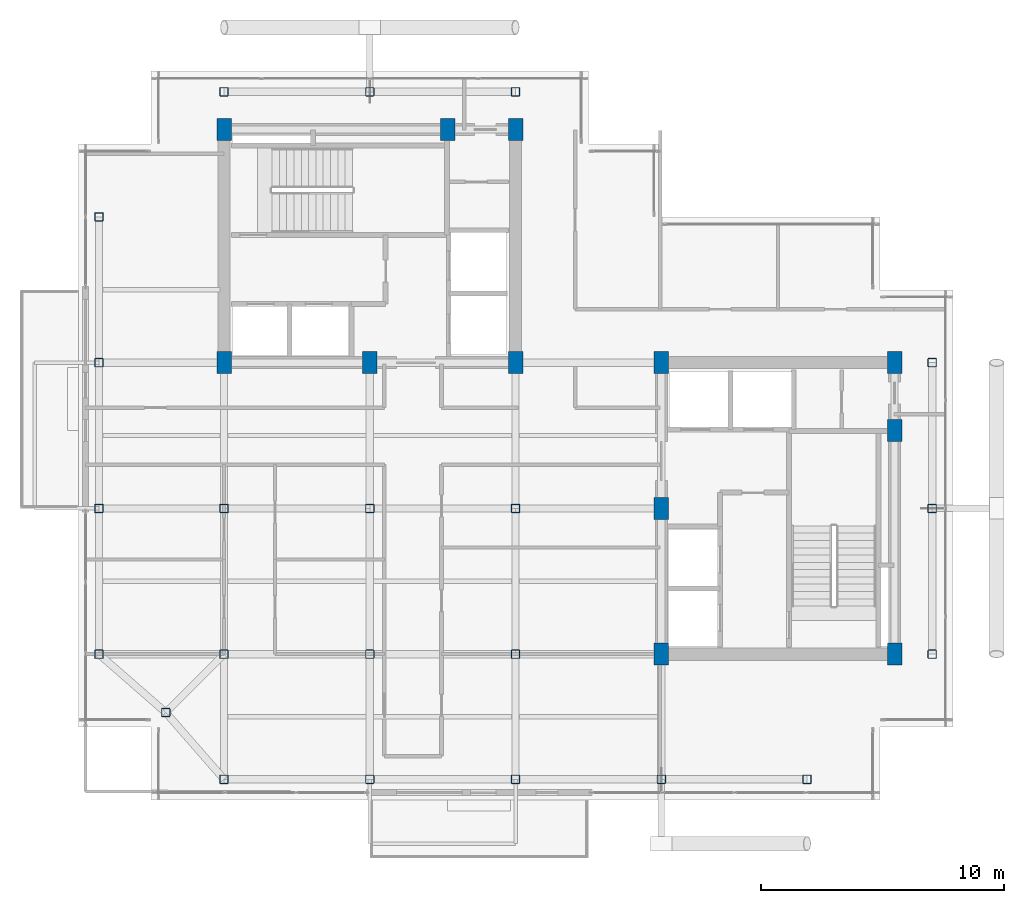
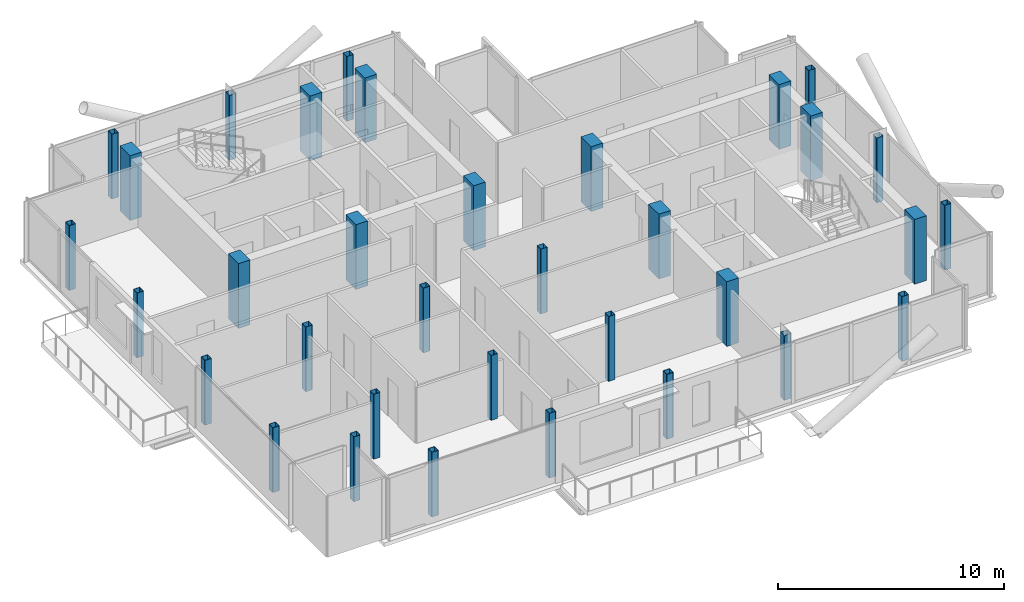
# One storey, part 1 of 18: 34 columns.
"""IFC4 building model written with IfcOpenShell, lengths in metres."""

from ifc_helpers import new_model, si_unit, direction, frame, origin, origin_2d, place, context, subcontext, project, spatial, rectangle, hollow_rectangle, extrude, material, material_profile, profile_set, type_object, element, save


model = new_model("IFC4")

# Units and contexts
model_context = context("Model", 3, precision=1e-05, world=origin(), true_north=direction((0.0, 1.0)))
body_context = subcontext(model_context, "Body", "Model", "MODEL_VIEW")
ifc_project = project(units=[si_unit("LENGTHUNIT", "METRE"), si_unit("AREAUNIT", "SQUARE_METRE"), si_unit("VOLUMEUNIT", "CUBIC_METRE"), si_unit("PLANEANGLEUNIT", "RADIAN"), si_unit("MASSUNIT", "GRAM", prefix="KILO"), si_unit("THERMODYNAMICTEMPERATUREUNIT", "KELVIN"), si_unit("POWERUNIT", "WATT")], contexts=[model_context])

# Site, building, storey
site_placement = place(None, origin())
site = spatial("IfcSite", under=ifc_project, at=site_placement, CompositionType="ELEMENT")
building_placement = place(site_placement, origin())
building = spatial("IfcBuilding", under=site, at=building_placement, Name="Svarakhadi Broadcast Tower", CompositionType="ELEMENT")
storey_placement = place(building_placement, frame((0.0, 0.0, 267.699951171875)))
storey = spatial("IfcBuildingStorey", under=building, at=storey_placement, Name="L67", CompositionType="ELEMENT", Elevation=267.699951171875)

# Columns
ifc_material_1 = material(Name="Concrete C50/60 (IS 456 M60)", Category="concrete")
ifc_material_profile_1 = material_profile(ifc_material_1, rectangle(XDim=0.60009765625, YDim=0.89990234375, at=origin_2d()), Name="RC 600x900")
ifc_profile_set_1 = profile_set([ifc_material_profile_1], Name="Concrete C50/60 (IS 456 M60)")
column_type_1 = type_object("IfcColumnType", Name="Col_RC600", PredefinedType="COLUMN", material=ifc_profile_set_1)
for number, where, z_axis, x_axis, name in (
    (1, (6.0, 18.0, 0.0), (0.0, 0.0, 1.0), (1.0, 0.0, 0.0), "L67 Column CW1"),
    (2, (12.0, 18.0, 0.0), (0.0, 0.0, 1.0), (1.0, 0.0, 0.0), "L67 Column CW2"),
    (3, (18.0, 18.0, 0.0), (0.0, 0.0, 1.0), (1.0, 0.0, 0.0), "L67 Column CW3"),
    (4, (6.0, 27.60009765625, 0.0), (0.0, 0.0, 1.0), (1.0, 0.0, 0.0), "L67 Column CW4"),
    (5, (15.199951171875, 27.60009765625, 0.0), (0.0, 0.0, 1.0), (1.0, 0.0, 0.0), "L67 Column CW5"),
    (6, (18.0, 27.60009765625, 0.0), (0.0, 0.0, 1.0), (1.0, 0.0, 0.0), "L67 Column CW6"),
    (7, (24.0, 6.0, 0.0), (0.0, 0.0, 1.0), (1.0, 0.0, 0.0), "L67 Column CE1"),
    (8, (24.0, 12.0, 0.0), (0.0, 0.0, 1.0), (1.0, 0.0, 0.0), "L67 Column CE2"),
    (9, (24.0, 18.0, 0.0), (0.0, 0.0, 1.0), (1.0, 0.0, 0.0), "L67 Column CE3"),
    (10, (33.60009765625, 6.0, 0.0), (0.0, 0.0, 1.0), (1.0, 0.0, 0.0), "L67 Column CE4"),
    (11, (33.60009765625, 15.199951171875, 0.0), (0.0, 0.0, 1.0), (1.0, 0.0, 0.0), "L67 Column CE5"),
    (12, (33.60009765625, 18.0, 0.0), (0.0, 0.0, 1.0), (1.0, 0.0, 0.0), "L67 Column CE6"),
):
    element("IfcColumn", number, at=place(storey_placement, frame(where, z_axis=z_axis, x_axis=x_axis)), inside=storey, type_object=column_type_1, Name=name, PredefinedType="COLUMN", context=body_context, shape_type="SweptSolid", body=[
        extrude(rectangle(XDim=0.60009765625, YDim=0.89990234375, at=origin_2d()), origin(), (0.0, 0.0, 1.0), 3.5),
    ])
ifc_material_2 = material(Name="Steel S460ML (IS 2062 E450BR)", Category="steel")
ifc_material_profile_2 = material_profile(ifc_material_2, hollow_rectangle(XDim=0.35009765625, YDim=0.35009765625, WallThickness=0.01611328125, InnerFilletRadius=0.01611328125, OuterFilletRadius=0.031982421875, at=origin_2d()), Name="SHS 350x350x16")
ifc_profile_set_2 = profile_set([ifc_material_profile_2], Name="Steel S460ML (IS 2062 E450BR)")
column_type_2 = type_object("IfcColumnType", Name="Col_SHS350", PredefinedType="COLUMN", material=ifc_profile_set_2)
for number, where, z_axis, x_axis, name in (
    (13, (3.60009765625, 3.60009765625, 0.0), (0.0, 0.0, 1.0), (1.0, 0.0, 0.0), "L67 Column G01"),
    (14, (0.85009765625, 6.0, 0.0), (0.0, 0.0, 1.0), (1.0, 0.0, 0.0), "L67 Column G03"),
    (15, (0.85009765625, 12.0, 0.0), (0.0, 0.0, 1.0), (1.0, 0.0, 0.0), "L67 Column G04"),
    (16, (0.85009765625, 18.0, 0.0), (0.0, 0.0, 1.0), (1.0, 0.0, 0.0), "L67 Column G05"),
    (17, (0.85009765625, 24.0, 0.0), (0.0, 0.0, 1.0), (1.0, 0.0, 0.0), "L67 Column G06"),
    (18, (6.0, 0.85009765625, 0.0), (0.0, 0.0, 1.0), (1.0, 0.0, 0.0), "L67 Column G11"),
    (19, (6.0, 6.0, 0.0), (0.0, 0.0, 1.0), (1.0, 0.0, 0.0), "L67 Column G12"),
    (20, (6.0, 12.0, 0.0), (0.0, 0.0, 1.0), (1.0, 0.0, 0.0), "L67 Column G13"),
    (21, (6.0, 29.14990234375, 0.0), (0.0, 0.0, 1.0), (1.0, 0.0, 0.0), "L67 Column G14"),
    (22, (12.0, 0.85009765625, 0.0), (0.0, 0.0, 1.0), (1.0, 0.0, 0.0), "L67 Column G18"),
    (23, (12.0, 6.0, 0.0), (0.0, 0.0, 1.0), (1.0, 0.0, 0.0), "L67 Column G19"),
    (24, (12.0, 12.0, 0.0), (0.0, 0.0, 1.0), (1.0, 0.0, 0.0), "L67 Column G20"),
    (25, (12.0, 29.14990234375, 0.0), (0.0, 0.0, 1.0), (1.0, 0.0, 0.0), "L67 Column G21"),
    (26, (18.0, 0.85009765625, 0.0), (0.0, 0.0, 1.0), (1.0, 0.0, 0.0), "L67 Column G25"),
    (27, (18.0, 6.0, 0.0), (0.0, 0.0, 1.0), (1.0, 0.0, 0.0), "L67 Column G26"),
    (28, (18.0, 12.0, 0.0), (0.0, 0.0, 1.0), (1.0, 0.0, 0.0), "L67 Column G27"),
    (29, (18.0, 29.14990234375, 0.0), (0.0, 0.0, 1.0), (1.0, 0.0, 0.0), "L67 Column G28"),
    (30, (24.0, 0.85009765625, 0.0), (0.0, 0.0, 1.0), (1.0, 0.0, 0.0), "L67 Column G32"),
    (31, (30.0, 0.85009765625, 0.0), (0.0, 0.0, 1.0), (1.0, 0.0, 0.0), "L67 Column G36"),
    (32, (35.14990234375, 6.0, 0.0), (0.0, 0.0, 1.0), (1.0, 0.0, 0.0), "L67 Column G39"),
    (33, (35.14990234375, 12.0, 0.0), (0.0, 0.0, 1.0), (1.0, 0.0, 0.0), "L67 Column G40"),
    (34, (35.14990234375, 18.0, 0.0), (0.0, 0.0, 1.0), (1.0, 0.0, 0.0), "L67 Column G41"),
):
    element("IfcColumn", number, at=place(storey_placement, frame(where, z_axis=z_axis, x_axis=x_axis)), inside=storey, type_object=column_type_2, Name=name, PredefinedType="COLUMN", context=body_context, shape_type="SweptSolid", body=[
        extrude(hollow_rectangle(XDim=0.35009765625, YDim=0.35009765625, WallThickness=0.01611328125, InnerFilletRadius=0.01611328125, OuterFilletRadius=0.031982421875, at=origin_2d()), origin(), (0.0, 0.0, 1.0), 3.5),
    ])

save(model, "model.ifc")
